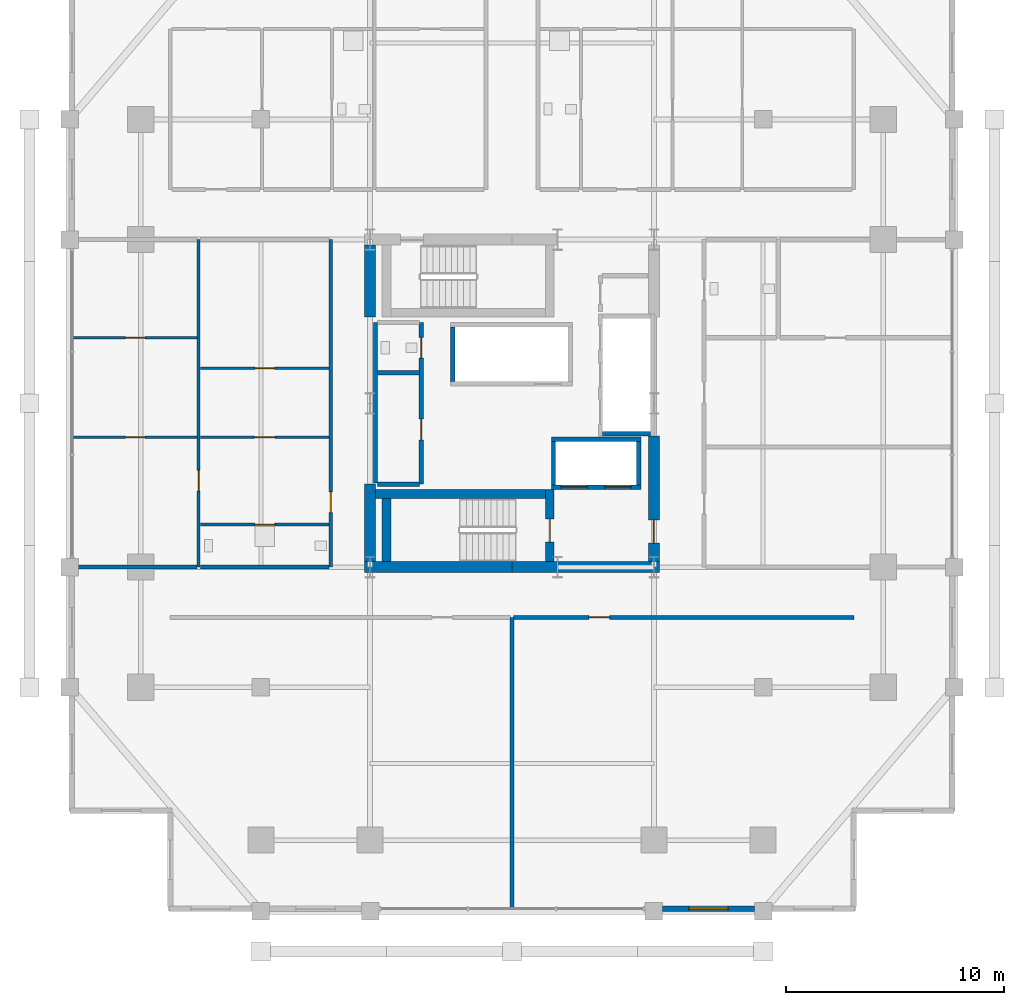
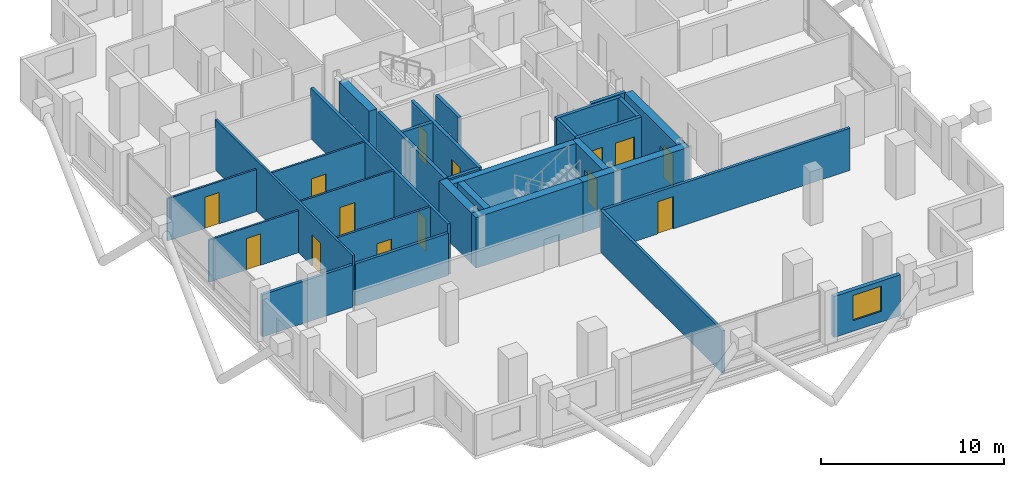
# One storey, part 17 of 22: 30 walls, 14 doors, 1 window, 15 openings.
"""IFC4 building model written with IfcOpenShell, lengths in metres."""

from ifc_helpers import new_model, si_unit, direction, frame, frame_2d, origin, place, context, subcontext, project, spatial, rectangle, extrude, material, layer, layer_set, type_object, element, fill, save


model = new_model("IFC4")

# Units and contexts
model_context = context("Model", 3, precision=1e-05, world=origin(), true_north=direction((0.0, 1.0)))
body_context = subcontext(model_context, "Body", "Model", "MODEL_VIEW")
ifc_project = project(units=[si_unit("LENGTHUNIT", "METRE"), si_unit("AREAUNIT", "SQUARE_METRE"), si_unit("VOLUMEUNIT", "CUBIC_METRE"), si_unit("PLANEANGLEUNIT", "RADIAN"), si_unit("MASSUNIT", "GRAM", prefix="KILO")], contexts=[model_context])

# Site, building, storey
site_placement = place(None, origin())
site = spatial("IfcSite", under=ifc_project, at=site_placement, CompositionType="ELEMENT")
building_placement = place(site_placement, origin())
building = spatial("IfcBuilding", under=site, at=building_placement, Name="Barlavira Tower and Art Museum", CompositionType="ELEMENT")
storey_placement = place(building_placement, frame((0.0, 0.0, 129.60009765625)))
storey = spatial("IfcBuildingStorey", under=building, at=storey_placement, Name="L32", CompositionType="ELEMENT", Elevation=129.60009765625)

# Wall, opening, door
ifc_material_1 = material(Name="Gypsum acoustic stud partition", Category="gypsum")
ifc_layer_1 = layer(ifc_material_1, 0.1201171875, Name="Gypsum acoustic stud partition")
ifc_layer_set_1 = layer_set([ifc_layer_1], Name="Gypsum acoustic stud partition")
wall_type_1 = type_object("IfcWallType", Name="Apartment Internal Acoustic Partition 120", PredefinedType="PARTITIONING", material=ifc_layer_set_1)
wall_1_placement = place(storey_placement, frame((-20.070068359375, -1.550048828125, 0.0), z_axis=(0.0, 0.0, 1.0), x_axis=(1.0, 0.0, 0.0)))
wall_1 = element("IfcWall", 1, at=wall_1_placement, inside=storey, type_object=wall_type_1, Name="L32 Partition Wall 27", PredefinedType="PARTITIONING", context=body_context, shape_type="SweptSolid", body=[
    extrude(rectangle(XDim=5.64013671875, YDim=0.1201171875, at=frame_2d((2.820068359375, 0.0))), origin(), (0.0, 0.0, 1.0), 2.81591796875),
])
opening_1_placement = place(wall_1_placement, frame((2.3701171875, 0.0, 0.0)))
opening_1 = element("IfcOpeningElement", 2, at=opening_1_placement, cuts=wall_1, Name="Opening D-01", PredefinedType="OPENING", context=body_context, shape_type="SweptSolid", body=[
    extrude(rectangle(XDim=0.89990234375, YDim=2.10009765625, at=frame_2d((0.449951171875, 1.050048828125))), frame((0.0, 0.070068359375, 0.0), z_axis=(0.0, -1.0, 0.0), x_axis=(1.0, 0.0, 0.0)), (0.0, 0.0, 1.0), 0.14013671875),
])
ifc_material_2 = material(Name="Engineered coastal hardwood", Category="wood")
door_type_1 = type_object("IfcDoorType", Name="Internal Bedroom Timber Flush Door 900x2100", OperationType="NOTDEFINED", PredefinedType="DOOR", material=ifc_material_2)
door_1_placement = place(opening_1_placement, origin())
door_1 = element("IfcDoor", 3, at=door_1_placement, inside=storey, type_object=door_type_1, Name="Apartment SKY-W1 Bedroom 1 Door", OperationType="SINGLE_SWING_RIGHT", OverallHeight=2.10009765625, OverallWidth=0.89990234375, PredefinedType="DOOR", context=body_context, shape_type="SweptSolid", body=[
    extrude(rectangle(XDim=0.89990234375, YDim=2.10009765625, at=frame_2d((0.449951171875, 1.050048828125))), frame((0.0, 0.02490234375, 0.0), z_axis=(0.0, -1.0, 0.0), x_axis=(1.0, 0.0, 0.0)), (0.0, 0.0, 1.0), 0.050048828125),
])
fill(opening_1, door_1)

wall_2_placement = place(storey_placement, frame((-14.27001953125, -1.550048828125, 0.0), z_axis=(0.0, 0.0, 1.0), x_axis=(1.0, 0.0, 0.0)))
wall_2 = element("IfcWall", 4, at=wall_2_placement, inside=storey, type_object=wall_type_1, Name="L32 Partition Wall 28", PredefinedType="PARTITIONING", context=body_context, shape_type="SweptSolid", body=[
    extrude(rectangle(XDim=5.89013671875, YDim=0.1201171875, at=frame_2d((2.945068359375, 0.0))), origin(), (0.0, 0.0, 1.0), 3.3798828125),
])
opening_2_placement = place(wall_2_placement, frame((2.47509765625, 0.0, 0.0)))
opening_2 = element("IfcOpeningElement", 5, at=opening_2_placement, cuts=wall_2, Name="Opening D-02", PredefinedType="OPENING", context=body_context, shape_type="SweptSolid", body=[
    extrude(rectangle(XDim=0.949951171875, YDim=2.10009765625, at=frame_2d((0.47509765625, 1.050048828125))), frame((0.0, 0.070068359375, 0.0), z_axis=(0.0, -1.0, 0.0), x_axis=(1.0, 0.0, 0.0)), (0.0, 0.0, 1.0), 0.14013671875),
])
door_type_2 = type_object("IfcDoorType", Name="Living and Salon Glazed-Leaf Door 950x2100", OperationType="NOTDEFINED", PredefinedType="DOOR", material=ifc_material_2)
door_2_placement = place(opening_2_placement, origin())
door_2 = element("IfcDoor", 6, at=door_2_placement, inside=storey, type_object=door_type_2, Name="Apartment SKY-W1 Kitchen Door", OperationType="SINGLE_SWING_LEFT", OverallHeight=2.10009765625, OverallWidth=0.949951171875, PredefinedType="DOOR", context=body_context, shape_type="SweptSolid", body=[
    extrude(rectangle(XDim=0.949951171875, YDim=2.10009765625, at=frame_2d((0.47509765625, 1.050048828125))), frame((0.0, 0.02490234375, 0.0), z_axis=(0.0, -1.0, 0.0), x_axis=(1.0, 0.0, 0.0)), (0.0, 0.0, 1.0), 0.050048828125),
])
fill(opening_2, door_2)

wall_3_placement = place(storey_placement, frame((-14.27001953125, 1.60009765625, 0.0), z_axis=(0.0, 0.0, 1.0), x_axis=(1.0, 0.0, 0.0)))
wall_3 = element("IfcWall", 7, at=wall_3_placement, inside=storey, type_object=wall_type_1, Name="L32 Partition Wall 30", PredefinedType="PARTITIONING", context=body_context, shape_type="SweptSolid", body=[
    extrude(rectangle(XDim=5.89013671875, YDim=0.1201171875, at=frame_2d((2.945068359375, 0.0))), origin(), (0.0, 0.0, 1.0), 3.3798828125),
])
opening_3_placement = place(wall_3_placement, frame((2.5, 0.0, 0.0)))
opening_3 = element("IfcOpeningElement", 8, at=opening_3_placement, cuts=wall_3, Name="Opening D-01", PredefinedType="OPENING", context=body_context, shape_type="SweptSolid", body=[
    extrude(rectangle(XDim=0.89990234375, YDim=2.10009765625, at=frame_2d((0.449951171875, 1.050048828125))), frame((0.0, 0.070068359375, 0.0), z_axis=(0.0, -1.0, 0.0), x_axis=(1.0, 0.0, 0.0)), (0.0, 0.0, 1.0), 0.14013671875),
])
door_3_placement = place(opening_3_placement, origin())
door_3 = element("IfcDoor", 9, at=door_3_placement, inside=storey, type_object=door_type_1, Name="Apartment SKY-W1 Walk-In Dressing Room Door", OperationType="SINGLE_SWING_RIGHT", OverallHeight=2.10009765625, OverallWidth=0.89990234375, PredefinedType="DOOR", context=body_context, shape_type="SweptSolid", body=[
    extrude(rectangle(XDim=0.89990234375, YDim=2.10009765625, at=frame_2d((0.449951171875, 1.050048828125))), frame((0.0, 0.02490234375, 0.0), z_axis=(0.0, -1.0, 0.0), x_axis=(1.0, 0.0, 0.0)), (0.0, 0.0, 1.0), 0.050048828125),
])
fill(opening_3, door_3)

wall_4_placement = place(storey_placement, frame((-20.070068359375, 3.0, 0.0), z_axis=(0.0, 0.0, 1.0), x_axis=(1.0, 0.0, 0.0)))
wall_4 = element("IfcWall", 10, at=wall_4_placement, inside=storey, type_object=wall_type_1, Name="L32 Partition Wall 31", PredefinedType="PARTITIONING", context=body_context, shape_type="SweptSolid", body=[
    extrude(rectangle(XDim=5.64013671875, YDim=0.1201171875, at=frame_2d((2.820068359375, 0.0))), origin(), (0.0, 0.0, 1.0), 2.81591796875),
])
opening_4_placement = place(wall_4_placement, frame((2.3701171875, 0.0, 0.0)))
opening_4 = element("IfcOpeningElement", 11, at=opening_4_placement, cuts=wall_4, Name="Opening D-01", PredefinedType="OPENING", context=body_context, shape_type="SweptSolid", body=[
    extrude(rectangle(XDim=0.89990234375, YDim=2.10009765625, at=frame_2d((0.449951171875, 1.050048828125))), frame((0.0, 0.070068359375, 0.0), z_axis=(0.0, -1.0, 0.0), x_axis=(1.0, 0.0, 0.0)), (0.0, 0.0, 1.0), 0.14013671875),
])
door_4_placement = place(opening_4_placement, origin())
door_4 = element("IfcDoor", 12, at=door_4_placement, inside=storey, type_object=door_type_1, Name="Apartment SKY-W1 Bedroom 2 Door", OperationType="SINGLE_SWING_LEFT", OverallHeight=2.10009765625, OverallWidth=0.89990234375, PredefinedType="DOOR", context=body_context, shape_type="SweptSolid", body=[
    extrude(rectangle(XDim=0.89990234375, YDim=2.10009765625, at=frame_2d((0.449951171875, 1.050048828125))), frame((0.0, 0.02490234375, 0.0), z_axis=(0.0, -1.0, 0.0), x_axis=(1.0, 0.0, 0.0)), (0.0, 0.0, 1.0), 0.050048828125),
])
fill(opening_4, door_4)

# Walls
ifc_material_3 = material(Name="Concrete C60", Category="concrete")
ifc_layer_2 = layer(ifc_material_3, 0.5, Name="Concrete C60")
ifc_layer_set_2 = layer_set([ifc_layer_2], Name="Concrete C60")
wall_type_2 = type_object("IfcWallType", Name="Core Structural Shear Wall 500 Concrete C60", PredefinedType="SHEAR", material=ifc_layer_set_2)
for number, where, z_axis, x_axis, name in (
    (13, (-6.75, -7.5, 0.0), (0.0, 0.0, 1.0), (1.0, 0.0, 0.0), "L32 Core Shear Wall CS-SW"),
    (14, (0.0, -7.5, 0.0), (0.0, 0.0, 1.0), (1.0, 0.0, 0.0), "L32 Core Shear Wall CS-SE"),
):
    element("IfcWall", number, at=place(storey_placement, frame(where, z_axis=z_axis, x_axis=x_axis)), inside=storey, type_object=wall_type_2, Name=name, PredefinedType="SHEAR", context=body_context, shape_type="SweptSolid", body=[
        extrude(rectangle(XDim=6.75, YDim=0.5, at=frame_2d((3.375, 0.0))), origin(), (0.0, 0.0, 1.0), 3.3798828125),
    ])
wall_5_placement = place(storey_placement, frame((-6.5, -7.25, 0.0), z_axis=(0.0, 0.0, 1.0), x_axis=(0.0, 1.0, 0.0)))
element("IfcWall", 15, at=wall_5_placement, inside=storey, type_object=wall_type_2, Name="L32 Core Shear Wall CS-W1", PredefinedType="SHEAR", context=body_context, shape_type="SweptSolid", body=[
    extrude(rectangle(XDim=3.550048828125, YDim=0.5, at=frame_2d((1.77490234375, 0.0))), origin(), (0.0, 0.0, 1.0), 3.3798828125),
])
wall_6_placement = place(storey_placement, frame((-6.5, 3.949951171875, 0.0), z_axis=(0.0, 0.0, 1.0), x_axis=(0.0, 1.0, 0.0)))
element("IfcWall", 16, at=wall_6_placement, inside=storey, type_object=wall_type_2, Name="L32 Core Shear Wall CS-W2", PredefinedType="SHEAR", context=body_context, shape_type="SweptSolid", body=[
    extrude(rectangle(XDim=3.300048828125, YDim=0.5, at=frame_2d((1.64990234375, 0.0))), origin(), (0.0, 0.0, 1.0), 3.3798828125),
])

# Wall, opening, door
wall_7_placement = place(storey_placement, frame((6.5, -7.25, 0.0), z_axis=(0.0, 0.0, 1.0), x_axis=(0.0, 1.0, 0.0)))
wall_7 = element("IfcWall", 17, at=wall_7_placement, inside=storey, type_object=wall_type_2, Name="L32 Core Shear Wall CS-E1", PredefinedType="SHEAR", context=body_context, shape_type="SweptSolid", body=[
    extrude(rectangle(XDim=5.75, YDim=0.5, at=frame_2d((2.875, 0.0))), origin(), (0.0, 0.0, 1.0), 3.3798828125),
])
opening_5_placement = place(wall_7_placement, frame((0.85009765625, 0.0, 0.0)))
opening_5 = element("IfcOpeningElement", 18, at=opening_5_placement, cuts=wall_7, Name="Opening FD-90", PredefinedType="OPENING", context=body_context, shape_type="SweptSolid", body=[
    extrude(rectangle(XDim=1.050048828125, YDim=2.14990234375, at=frame_2d((0.52490234375, 1.074951171875))), frame((0.0, 0.260009765625, 0.0), z_axis=(0.0, -1.0, 0.0), x_axis=(1.0, 0.0, 0.0)), (0.0, 0.0, 1.0), 0.52001953125),
])
ifc_material_4 = material(Name="Brushed stainless steel", Category="steel")
door_type_3 = type_object("IfcDoorType", Name="Stair and Refuge Fire Door 1050x2150 FD90S", OperationType="NOTDEFINED", PredefinedType="DOOR", material=ifc_material_4)
door_5_placement = place(opening_5_placement, origin())
door_5 = element("IfcDoor", 19, at=door_5_placement, inside=storey, type_object=door_type_3, Name="L32 Firefighting Lobby Entry Fire Door", OperationType="SINGLE_SWING_LEFT", OverallHeight=2.14990234375, OverallWidth=1.050048828125, PredefinedType="DOOR", context=body_context, shape_type="SweptSolid", body=[
    extrude(rectangle(XDim=1.050048828125, YDim=2.14990234375, at=frame_2d((0.52490234375, 1.074951171875))), frame((0.0, 0.02490234375, 0.0), z_axis=(0.0, -1.0, 0.0), x_axis=(1.0, 0.0, 0.0)), (0.0, 0.0, 1.0), 0.050048828125),
])
fill(opening_5, door_5)

# Walls
ifc_material_5 = material(Name="Autoclaved aerated concrete masonry", Category="masonry")
ifc_layer_3 = layer(ifc_material_5, 0.199951171875, Name="Autoclaved aerated concrete masonry")
ifc_layer_set_3 = layer_set([ifc_layer_3], Name="Autoclaved aerated concrete masonry")
wall_type_3 = type_object("IfcWallType", Name="Fire Compartment and Shaft Wall 200", PredefinedType="SOLIDWALL", material=ifc_layer_set_3)
wall_8_placement = place(storey_placement, frame((4.14990234375, -1.389892578125, 0.0), z_axis=(0.0, 0.0, 1.0), x_axis=(1.0, 0.0, 0.0)))
element("IfcWall", 20, at=wall_8_placement, inside=storey, type_object=wall_type_3, Name="L32 Mid-Rise Lift South Shaft Wall", PredefinedType="SOLIDWALL", context=body_context, shape_type="SweptSolid", body=[
    extrude(rectangle(XDim=2.2001953125, YDim=0.199951171875, at=frame_2d((1.10009765625, 0.0))), origin(), (0.0, 0.0, 1.0), 3.3798828125),
])
wall_9_placement = place(storey_placement, frame((-2.719970703125, 1.0, 0.0), z_axis=(0.0, 0.0, 1.0), x_axis=(0.0, 1.0, 0.0)))
element("IfcWall", 21, at=wall_9_placement, inside=storey, type_object=wall_type_3, Name="L32 High-Rise & Service Lift West Wall", PredefinedType="SOLIDWALL", context=body_context, shape_type="SweptSolid", body=[
    extrude(rectangle(XDim=2.5, YDim=0.199951171875, at=frame_2d((1.25, 0.0))), origin(), (0.0, 0.0, 1.0), 3.3798828125),
])

# Wall, openings, doors
wall_10_placement = place(storey_placement, frame((1.800048828125, -3.85009765625, 0.0), z_axis=(0.0, 0.0, 1.0), x_axis=(1.0, 0.0, 0.0)))
wall_10 = element("IfcWall", 22, at=wall_10_placement, inside=storey, type_object=wall_type_3, Name="L32 Firefighting Lift Front Shaft Wall", PredefinedType="SOLIDWALL", context=body_context, shape_type="SweptSolid", body=[
    extrude(rectangle(XDim=4.099853515625, YDim=0.199951171875, at=frame_2d((2.0498046875, 0.0))), origin(), (0.0, 0.0, 1.0), 3.3798828125),
])
opening_6_placement = place(wall_10_placement, frame((0.449951171875, 0.0, 0.0)))
opening_6 = element("IfcOpeningElement", 23, at=opening_6_placement, cuts=wall_10, Name="Opening LD-F", PredefinedType="OPENING", context=body_context, shape_type="SweptSolid", body=[
    extrude(rectangle(XDim=1.199951171875, YDim=2.199951171875, at=frame_2d((0.60009765625, 1.10009765625))), frame((0.0, 0.10986328125, 0.0), z_axis=(0.0, -1.0, 0.0), x_axis=(1.0, 0.0, 0.0)), (0.0, 0.0, 1.0), 0.219970703125),
])
opening_7_placement = place(wall_10_placement, frame((2.449951171875, 0.0, 0.0)))
opening_7 = element("IfcOpeningElement", 24, at=opening_7_placement, cuts=wall_10, Name="Opening LD-F", PredefinedType="OPENING", context=body_context, shape_type="SweptSolid", body=[
    extrude(rectangle(XDim=1.199951171875, YDim=2.199951171875, at=frame_2d((0.60009765625, 1.10009765625))), frame((0.0, 0.10986328125, 0.0), z_axis=(0.0, -1.0, 0.0), x_axis=(1.0, 0.0, 0.0)), (0.0, 0.0, 1.0), 0.219970703125),
])
door_type_4 = type_object("IfcDoorType", Name="Firefighting and Service Lift Sliding Door 1200x2200 FD120", OperationType="NOTDEFINED", PredefinedType="DOOR", material=ifc_material_4)
door_6_placement = place(opening_6_placement, origin())
door_6 = element("IfcDoor", 25, at=door_6_placement, inside=storey, type_object=door_type_4, Name="L32 Firefighting Lift FF1 Sliding Door", OperationType="DOUBLE_DOOR_SLIDING", OverallHeight=2.199951171875, OverallWidth=1.199951171875, PredefinedType="DOOR", context=body_context, shape_type="SweptSolid", body=[
    extrude(rectangle(XDim=1.199951171875, YDim=2.199951171875, at=frame_2d((0.60009765625, 1.10009765625))), frame((0.0, 0.02490234375, 0.0), z_axis=(0.0, -1.0, 0.0), x_axis=(1.0, 0.0, 0.0)), (0.0, 0.0, 1.0), 0.050048828125),
])
fill(opening_6, door_6)
door_7_placement = place(opening_7_placement, origin())
door_7 = element("IfcDoor", 26, at=door_7_placement, inside=storey, type_object=door_type_4, Name="L32 Firefighting Lift FF2 Sliding Door", OperationType="DOUBLE_DOOR_SLIDING", OverallHeight=2.199951171875, OverallWidth=1.199951171875, PredefinedType="DOOR", context=body_context, shape_type="SweptSolid", body=[
    extrude(rectangle(XDim=1.199951171875, YDim=2.199951171875, at=frame_2d((0.60009765625, 1.10009765625))), frame((0.0, 0.02490234375, 0.0), z_axis=(0.0, -1.0, 0.0), x_axis=(1.0, 0.0, 0.0)), (0.0, 0.0, 1.0), 0.050048828125),
])
fill(opening_7, door_7)

# Walls
wall_11_placement = place(storey_placement, frame((1.800048828125, -1.64990234375, 0.0), z_axis=(0.0, 0.0, 1.0), x_axis=(1.0, 0.0, 0.0)))
element("IfcWall", 27, at=wall_11_placement, inside=storey, type_object=wall_type_3, Name="L32 Firefighting Lift Back Shaft Wall", PredefinedType="SOLIDWALL", context=body_context, shape_type="SweptSolid", body=[
    extrude(rectangle(XDim=4.099853515625, YDim=0.199951171875, at=frame_2d((2.0498046875, 0.0))), origin(), (0.0, 0.0, 1.0), 3.3798828125),
])
for number, where, z_axis, x_axis, name in (
    (28, (1.89990234375, -3.75, 0.0), (0.0, 0.0, 1.0), (0.0, 1.0, 0.0), "L32 Firefighting Lift West Shaft Wall"),
    (29, (5.800048828125, -3.75, 0.0), (0.0, 0.0, 1.0), (0.0, 1.0, 0.0), "L32 Firefighting Lift East Shaft Wall"),
):
    element("IfcWall", number, at=place(storey_placement, frame(where, z_axis=z_axis, x_axis=x_axis)), inside=storey, type_object=wall_type_3, Name=name, PredefinedType="SOLIDWALL", context=body_context, shape_type="SweptSolid", body=[
        extrude(rectangle(XDim=2.0, YDim=0.199951171875, at=frame_2d((1.0, 0.0))), origin(), (0.0, 0.0, 1.0), 3.3798828125),
    ])
wall_12_placement = place(storey_placement, frame((-6.25, -3.639892578125, 0.0), z_axis=(0.0, 0.0, 1.0), x_axis=(0.0, 1.0, 0.0)))
element("IfcWall", 30, at=wall_12_placement, inside=storey, type_object=wall_type_3, Name="L32 Partition Wall 7", PredefinedType="SOLIDWALL", context=body_context, shape_type="SweptSolid", body=[
    extrude(rectangle(XDim=7.33984375, YDim=0.199951171875, at=frame_2d((3.669921875, 0.0))), origin(), (0.0, 0.0, 1.0), 3.3798828125),
])

# Wall, openings, doors
wall_13_placement = place(storey_placement, frame((-4.14990234375, -3.699951171875, 0.0), z_axis=(0.0, 0.0, 1.0), x_axis=(0.0, 1.0, 0.0)))
wall_13 = element("IfcWall", 31, at=wall_13_placement, inside=storey, type_object=wall_type_3, Name="L32 Partition Wall 8", PredefinedType="SOLIDWALL", context=body_context, shape_type="SweptSolid", body=[
    extrude(rectangle(XDim=7.39990234375, YDim=0.199951171875, at=frame_2d((3.699951171875, 0.0))), origin(), (0.0, 0.0, 1.0), 3.3798828125),
])
opening_8_placement = place(wall_13_placement, frame((2.02490234375, 0.0, 0.0)))
opening_8 = element("IfcOpeningElement", 32, at=opening_8_placement, cuts=wall_13, Name="Opening FD-60", PredefinedType="OPENING", context=body_context, shape_type="SweptSolid", body=[
    extrude(rectangle(XDim=0.949951171875, YDim=2.14990234375, at=frame_2d((0.47509765625, 1.074951171875))), frame((0.0, 0.10986328125, 0.0), z_axis=(0.0, -1.0, 0.0), x_axis=(1.0, 0.0, 0.0)), (0.0, 0.0, 1.0), 0.219970703125),
])
opening_9_placement = place(wall_13_placement, frame((5.77490234375, 0.0, 0.0)))
opening_9 = element("IfcOpeningElement", 33, at=opening_9_placement, cuts=wall_13, Name="Opening FD-60", PredefinedType="OPENING", context=body_context, shape_type="SweptSolid", body=[
    extrude(rectangle(XDim=0.949951171875, YDim=2.14990234375, at=frame_2d((0.47509765625, 1.074951171875))), frame((0.0, 0.10986328125, 0.0), z_axis=(0.0, -1.0, 0.0), x_axis=(1.0, 0.0, 0.0)), (0.0, 0.0, 1.0), 0.219970703125),
])
door_type_5 = type_object("IfcDoorType", Name="Apartment Entrance and Riser Fire Door 950x2150 FD60S", OperationType="NOTDEFINED", PredefinedType="DOOR", material=ifc_material_4)
door_8_placement = place(opening_8_placement, origin())
door_8 = element("IfcDoor", 34, at=door_8_placement, inside=storey, type_object=door_type_5, Name="Reclaimed Core Resident Parcel Room Door", OperationType="SINGLE_SWING_LEFT", OverallHeight=2.14990234375, OverallWidth=0.949951171875, PredefinedType="DOOR", context=body_context, shape_type="SweptSolid", body=[
    extrude(rectangle(XDim=0.949951171875, YDim=2.14990234375, at=frame_2d((0.47509765625, 1.074951171875))), frame((0.0, 0.02490234375, 0.0), z_axis=(0.0, -1.0, 0.0), x_axis=(1.0, 0.0, 0.0)), (0.0, 0.0, 1.0), 0.050048828125),
])
fill(opening_8, door_8)
door_9_placement = place(opening_9_placement, origin())
door_9 = element("IfcDoor", 35, at=door_9_placement, inside=storey, type_object=door_type_5, Name="Reclaimed Core Accessible WC Door", OperationType="SINGLE_SWING_RIGHT", OverallHeight=2.14990234375, OverallWidth=0.949951171875, PredefinedType="DOOR", context=body_context, shape_type="SweptSolid", body=[
    extrude(rectangle(XDim=0.949951171875, YDim=2.14990234375, at=frame_2d((0.47509765625, 1.074951171875))), frame((0.0, 0.02490234375, 0.0), z_axis=(0.0, -1.0, 0.0), x_axis=(1.0, 0.0, 0.0)), (0.0, 0.0, 1.0), 0.050048828125),
])
fill(opening_9, door_9)

# Walls
for number, where, z_axis, x_axis, name in (
    (36, (-6.169921875, -3.699951171875, 0.0), (0.0, 0.0, 1.0), (1.0, 0.0, 0.0), "L32 Partition Wall 25"),
    (37, (-6.169921875, 1.39990234375, 0.0), (0.0, 0.0, 1.0), (1.0, 0.0, 0.0), "L32 Partition Wall 29"),
):
    element("IfcWall", number, at=place(storey_placement, frame(where, z_axis=z_axis, x_axis=x_axis)), inside=storey, type_object=wall_type_3, Name=name, PredefinedType="SOLIDWALL", context=body_context, shape_type="SweptSolid", body=[
        extrude(rectangle(XDim=1.93994140625, YDim=0.199951171875, at=frame_2d((0.969970703125, 0.0))), origin(), (0.0, 0.0, 1.0), 3.3798828125),
    ])

# Wall, opening, door
ifc_layer_4 = layer(ifc_material_1, 0.179931640625, Name="Gypsum acoustic stud partition")
ifc_layer_set_4 = layer_set([ifc_layer_4], Name="Gypsum acoustic stud partition")
wall_type_4 = type_object("IfcWallType", Name="Inter-Tenancy Party Partition Wall 180", PredefinedType="PARTITIONING", material=ifc_layer_set_4)
wall_14_placement = place(storey_placement, frame((-8.300048828125, -7.5, 0.0), z_axis=(0.0, 0.0, 1.0), x_axis=(0.0, 1.0, 0.0)))
wall_14 = element("IfcWall", 38, at=wall_14_placement, inside=storey, type_object=wall_type_4, Name="L32 Partition Wall 4", PredefinedType="PARTITIONING", context=body_context, shape_type="SweptSolid", body=[
    extrude(rectangle(XDim=15.0, YDim=0.179931640625, at=frame_2d((7.5, 0.0))), origin(), (0.0, 0.0, 1.0), 3.3798828125),
])
opening_10_placement = place(wall_14_placement, frame((2.4951171875, 0.0, 0.0)))
opening_10 = element("IfcOpeningElement", 39, at=opening_10_placement, cuts=wall_14, Name="Opening FD-60", PredefinedType="OPENING", context=body_context, shape_type="SweptSolid", body=[
    extrude(rectangle(XDim=0.949951171875, YDim=2.14990234375, at=frame_2d((0.47509765625, 1.074951171875))), frame((0.0, 0.10009765625, 0.0), z_axis=(0.0, -1.0, 0.0), x_axis=(1.0, 0.0, 0.0)), (0.0, 0.0, 1.0), 0.199951171875),
])
door_10_placement = place(opening_10_placement, origin())
door_10 = element("IfcDoor", 40, at=door_10_placement, inside=storey, type_object=door_type_5, Name="Apartment Entrance Hall SKY-W1 Door", OperationType="SINGLE_SWING_RIGHT", OverallHeight=2.14990234375, OverallWidth=0.949951171875, PredefinedType="DOOR", context=body_context, shape_type="SweptSolid", body=[
    extrude(rectangle(XDim=0.949951171875, YDim=2.14990234375, at=frame_2d((0.47509765625, 1.074951171875))), frame((0.0, 0.02490234375, 0.0), z_axis=(0.0, -1.0, 0.0), x_axis=(1.0, 0.0, 0.0)), (0.0, 0.0, 1.0), 0.050048828125),
])
fill(opening_10, door_10)

# Wall
wall_15_placement = place(storey_placement, frame((0.0, -23.14990234375, 0.0), z_axis=(0.0, 0.0, 1.0), x_axis=(0.0, 1.0, 0.0)))
element("IfcWall", 41, at=wall_15_placement, inside=storey, type_object=wall_type_4, Name="L32 Partition Wall 10", PredefinedType="PARTITIONING", context=body_context, shape_type="SweptSolid", body=[
    extrude(rectangle(XDim=13.349853515625, YDim=0.179931640625, at=frame_2d((6.6748046875, 0.0))), origin(), (0.0, 0.0, 1.0), 2.81591796875),
])

# Wall, opening, door
wall_16_placement = place(storey_placement, frame((0.080078125, -9.800048828125, 0.0), z_axis=(0.0, 0.0, 1.0), x_axis=(1.0, 0.0, 0.0)))
wall_16 = element("IfcWall", 42, at=wall_16_placement, inside=storey, type_object=wall_type_4, Name="L32 Partition Wall 20", PredefinedType="PARTITIONING", context=body_context, shape_type="SweptSolid", body=[
    extrude(rectangle(XDim=15.56982421875, YDim=0.179931640625, at=frame_2d((7.784912109375, 0.0))), origin(), (0.0, 0.0, 1.0), 2.81591796875),
])
opening_11_placement = place(wall_16_placement, frame((3.445068359375, 0.0, 0.0)))
opening_11 = element("IfcOpeningElement", 43, at=opening_11_placement, cuts=wall_16, Name="Opening FD-60", PredefinedType="OPENING", context=body_context, shape_type="SweptSolid", body=[
    extrude(rectangle(XDim=0.949951171875, YDim=2.14990234375, at=frame_2d((0.47509765625, 1.074951171875))), frame((0.0, 0.10009765625, 0.0), z_axis=(0.0, -1.0, 0.0), x_axis=(1.0, 0.0, 0.0)), (0.0, 0.0, 1.0), 0.199951171875),
])
door_11_placement = place(opening_11_placement, origin())
door_11 = element("IfcDoor", 44, at=door_11_placement, inside=storey, type_object=door_type_5, Name="Atlantic Horizon Sky Cafe and Bar Door", OperationType="SINGLE_SWING_LEFT", OverallHeight=2.14990234375, OverallWidth=0.949951171875, PredefinedType="DOOR", context=body_context, shape_type="SweptSolid", body=[
    extrude(rectangle(XDim=0.949951171875, YDim=2.14990234375, at=frame_2d((0.47509765625, 1.074951171875))), frame((0.0, 0.02490234375, 0.0), z_axis=(0.0, -1.0, 0.0), x_axis=(1.0, 0.0, 0.0)), (0.0, 0.0, 1.0), 0.050048828125),
])
fill(opening_11, door_11)

# Walls
wall_17_placement = place(storey_placement, frame((-20.14990234375, -7.5, 0.0), z_axis=(0.0, 0.0, 1.0), x_axis=(1.0, 0.0, 0.0)))
element("IfcWall", 45, at=wall_17_placement, inside=storey, type_object=wall_type_4, Name="L32 Partition Wall 21", PredefinedType="PARTITIONING", context=body_context, shape_type="SweptSolid", body=[
    extrude(rectangle(XDim=5.719970703125, YDim=0.179931640625, at=frame_2d((2.85986328125, 0.0))), origin(), (0.0, 0.0, 1.0), 2.81591796875),
])
wall_18_placement = place(storey_placement, frame((-14.27001953125, -7.5, 0.0), z_axis=(0.0, 0.0, 1.0), x_axis=(1.0, 0.0, 0.0)))
element("IfcWall", 46, at=wall_18_placement, inside=storey, type_object=wall_type_4, Name="L32 Partition Wall 22", PredefinedType="PARTITIONING", context=body_context, shape_type="SweptSolid", body=[
    extrude(rectangle(XDim=5.89013671875, YDim=0.179931640625, at=frame_2d((2.945068359375, 0.0))), origin(), (0.0, 0.0, 1.0), 2.81591796875),
])

# Wall, opening, door
ifc_layer_5 = layer(ifc_material_1, 0.139892578125, Name="Gypsum acoustic stud partition")
ifc_layer_set_5 = layer_set([ifc_layer_5], Name="Gypsum acoustic stud partition")
wall_type_5 = type_object("IfcWallType", Name="Moisture-Resistant Bathroom Partition 140", PredefinedType="PARTITIONING", material=ifc_layer_set_5)
wall_19_placement = place(storey_placement, frame((-14.35009765625, -7.5, 0.0), z_axis=(0.0, 0.0, 1.0), x_axis=(0.0, 1.0, 0.0)))
wall_19 = element("IfcWall", 47, at=wall_19_placement, inside=storey, type_object=wall_type_5, Name="L32 Partition Wall 2", PredefinedType="PARTITIONING", context=body_context, shape_type="SweptSolid", body=[
    extrude(rectangle(XDim=15.0, YDim=0.139892578125, at=frame_2d((7.5, 0.0))), origin(), (0.0, 0.0, 1.0), 3.3798828125),
])
opening_12_placement = place(wall_19_placement, frame((3.47509765625, 0.0, 0.0)))
opening_12 = element("IfcOpeningElement", 48, at=opening_12_placement, cuts=wall_19, Name="Opening D-02", PredefinedType="OPENING", context=body_context, shape_type="SweptSolid", body=[
    extrude(rectangle(XDim=0.949951171875, YDim=2.10009765625, at=frame_2d((0.47509765625, 1.050048828125))), frame((0.0, 0.080078125, 0.0), z_axis=(0.0, -1.0, 0.0), x_axis=(1.0, 0.0, 0.0)), (0.0, 0.0, 1.0), 0.159912109375),
])
door_12_placement = place(opening_12_placement, origin())
door_12 = element("IfcDoor", 49, at=door_12_placement, inside=storey, type_object=door_type_2, Name="Apartment SKY-W1 Living Lounge Door", OperationType="SINGLE_SWING_LEFT", OverallHeight=2.10009765625, OverallWidth=0.949951171875, PredefinedType="DOOR", context=body_context, shape_type="SweptSolid", body=[
    extrude(rectangle(XDim=0.949951171875, YDim=2.10009765625, at=frame_2d((0.47509765625, 1.050048828125))), frame((0.0, 0.02490234375, 0.0), z_axis=(0.0, -1.0, 0.0), x_axis=(1.0, 0.0, 0.0)), (0.0, 0.0, 1.0), 0.050048828125),
])
fill(opening_12, door_12)

wall_20_placement = place(storey_placement, frame((-14.27001953125, -5.550048828125, 0.0), z_axis=(0.0, 0.0, 1.0), x_axis=(1.0, 0.0, 0.0)))
wall_20 = element("IfcWall", 50, at=wall_20_placement, inside=storey, type_object=wall_type_5, Name="L32 Partition Wall 24", PredefinedType="PARTITIONING", context=body_context, shape_type="SweptSolid", body=[
    extrude(rectangle(XDim=5.89013671875, YDim=0.139892578125, at=frame_2d((2.945068359375, 0.0))), origin(), (0.0, 0.0, 1.0), 3.3798828125),
])
opening_13_placement = place(wall_20_placement, frame((2.5, 0.0, 0.0)))
opening_13 = element("IfcOpeningElement", 51, at=opening_13_placement, cuts=wall_20, Name="Opening D-WC", PredefinedType="OPENING", context=body_context, shape_type="SweptSolid", body=[
    extrude(rectangle(XDim=0.89990234375, YDim=2.10009765625, at=frame_2d((0.449951171875, 1.050048828125))), frame((0.0, 0.080078125, 0.0), z_axis=(0.0, -1.0, 0.0), x_axis=(1.0, 0.0, 0.0)), (0.0, 0.0, 1.0), 0.159912109375),
])
door_type_6 = type_object("IfcDoorType", Name="Accessible Bathroom Flush Door 900x2100", OperationType="NOTDEFINED", PredefinedType="DOOR", material=ifc_material_2)
door_13_placement = place(opening_13_placement, origin())
door_13 = element("IfcDoor", 52, at=door_13_placement, inside=storey, type_object=door_type_6, Name="Apartment SKY-W1 Hall Bathroom Door", OperationType="SINGLE_SWING_LEFT", OverallHeight=2.10009765625, OverallWidth=0.89990234375, PredefinedType="DOOR", context=body_context, shape_type="SweptSolid", body=[
    extrude(rectangle(XDim=0.89990234375, YDim=2.10009765625, at=frame_2d((0.449951171875, 1.050048828125))), frame((0.0, 0.02490234375, 0.0), z_axis=(0.0, -1.0, 0.0), x_axis=(1.0, 0.0, 0.0)), (0.0, 0.0, 1.0), 0.050048828125),
])
fill(opening_13, door_13)

# Wall, opening, window
ifc_material_6 = material(Name="Precast concrete C40", Category="concrete")
ifc_layer_6 = layer(ifc_material_6, 0.25, Name="Precast concrete C40")
ifc_layer_set_6 = layer_set([ifc_layer_6], Name="Precast concrete C40")
wall_type_6 = type_object("IfcWallType", Name="Notched Corner Spandrel Wall 250 Precast Concrete C40", PredefinedType="SOLIDWALL", material=ifc_layer_set_6)
wall_21_placement = place(storey_placement, frame((6.89501953125, -23.14990234375, 0.0), z_axis=(0.0, 0.0, 1.0), x_axis=(1.0, 0.0, 0.0)))
wall_21 = element("IfcWall", 53, at=wall_21_placement, inside=storey, type_object=wall_type_6, Name="L32 Coastal Facade Pier Wall CW2-L32-S-4", PredefinedType="SOLIDWALL", context=body_context, shape_type="SweptSolid", body=[
    extrude(rectangle(XDim=4.2099609375, YDim=0.25, at=frame_2d((2.10498046875, 0.0))), origin(), (0.0, 0.0, 1.0), 2.73583984375),
])
opening_14_placement = place(wall_21_placement, frame((1.205078125, 0.0, 0.719970703125)))
opening_14 = element("IfcOpeningElement", 54, at=opening_14_placement, cuts=wall_21, Name="Opening WN-01", PredefinedType="OPENING", context=body_context, shape_type="SweptSolid", body=[
    extrude(rectangle(XDim=1.800048828125, YDim=1.679931640625, at=frame_2d((0.89990234375, 0.83984375))), frame((0.0, 0.135009765625, 0.0), z_axis=(0.0, -1.0, 0.0), x_axis=(1.0, 0.0, 0.0)), (0.0, 0.0, 1.0), 0.27001953125),
])
ifc_material_7 = material(Name="Low-iron coastal laminated glass", Category="glass")
window_type = type_object("IfcWindowType", Name="Recessed Notch Corner Punch Window 1800x1680", PartitioningType="SINGLE_PANEL", PredefinedType="WINDOW", material=ifc_material_7)
window_placement = place(opening_14_placement, origin())
window = element("IfcWindow", 55, at=window_placement, inside=storey, type_object=window_type, Name="L32 Punched Facade Window EWP-CW2-L32-S-4-1", OverallHeight=1.679931640625, OverallWidth=1.800048828125, PartitioningType="SINGLE_PANEL", PredefinedType="WINDOW", context=body_context, shape_type="SweptSolid", body=[
    extrude(rectangle(XDim=1.800048828125, YDim=1.679931640625, at=frame_2d((0.89990234375, 0.83984375))), frame((0.0, 0.030029296875, 0.0), z_axis=(0.0, -1.0, 0.0), x_axis=(1.0, 0.0, 0.0)), (0.0, 0.0, 1.0), 0.06005859375),
])
fill(opening_14, window)

# Walls
ifc_material_8 = material(Name="Concrete C55", Category="concrete")
ifc_layer_7 = layer(ifc_material_8, 0.39990234375, Name="Concrete C55")
ifc_layer_set_7 = layer_set([ifc_layer_7], Name="Concrete C55")
wall_type_7 = type_object("IfcWallType", Name="Upper Core Shear Wall 400 Concrete C55", PredefinedType="SHEAR", material=ifc_layer_set_7)
wall_22_placement = place(storey_placement, frame((-5.75, -7.25, 0.0), z_axis=(0.0, 0.0, 1.0), x_axis=(0.0, 1.0, 0.0)))
element("IfcWall", 56, at=wall_22_placement, inside=storey, type_object=wall_type_7, Name="L32 ST-T1 West Half-Landing Wall", PredefinedType="SHEAR", context=body_context, shape_type="SweptSolid", body=[
    extrude(rectangle(XDim=2.89990234375, YDim=0.39990234375, at=frame_2d((1.449951171875, 0.0))), origin(), (0.0, 0.0, 1.0), 3.3798828125),
])
wall_23_placement = place(storey_placement, frame((-6.25, -4.14990234375, 0.0), z_axis=(0.0, 0.0, 1.0), x_axis=(1.0, 0.0, 0.0)))
element("IfcWall", 57, at=wall_23_placement, inside=storey, type_object=wall_type_7, Name="L32 ST-T1 North Shaft Wall", PredefinedType="SHEAR", context=body_context, shape_type="SweptSolid", body=[
    extrude(rectangle(XDim=7.780029296875, YDim=0.39990234375, at=frame_2d((3.89013671875, 0.0))), origin(), (0.0, 0.0, 1.0), 3.3798828125),
])

# Wall, opening, door
wall_24_placement = place(storey_placement, frame((1.72998046875, -7.25, 0.0), z_axis=(0.0, 0.0, 1.0), x_axis=(0.0, 1.0, 0.0)))
wall_24 = element("IfcWall", 58, at=wall_24_placement, inside=storey, type_object=wall_type_7, Name="L32 ST-T1 East Landing Wall", PredefinedType="SHEAR", context=body_context, shape_type="SweptSolid", body=[
    extrude(rectangle(XDim=3.300048828125, YDim=0.39990234375, at=frame_2d((1.64990234375, 0.0))), origin(), (0.0, 0.0, 1.0), 3.3798828125),
])
opening_15_placement = place(wall_24_placement, frame((0.89990234375, 0.0, 0.0)))
opening_15 = element("IfcOpeningElement", 59, at=opening_15_placement, cuts=wall_24, Name="Opening FD-90", PredefinedType="OPENING", context=body_context, shape_type="SweptSolid", body=[
    extrude(rectangle(XDim=1.050048828125, YDim=2.14990234375, at=frame_2d((0.52490234375, 1.074951171875))), frame((0.0, 0.2099609375, 0.0), z_axis=(0.0, -1.0, 0.0), x_axis=(1.0, 0.0, 0.0)), (0.0, 0.0, 1.0), 0.419921875),
])
door_14_placement = place(opening_15_placement, origin())
door_14 = element("IfcDoor", 60, at=door_14_placement, inside=storey, type_object=door_type_3, Name="L32 Stair ST-T1 Fire Door", OperationType="SINGLE_SWING_RIGHT", OverallHeight=2.14990234375, OverallWidth=1.050048828125, PredefinedType="DOOR", context=body_context, shape_type="SweptSolid", body=[
    extrude(rectangle(XDim=1.050048828125, YDim=2.14990234375, at=frame_2d((0.52490234375, 1.074951171875))), frame((0.0, 0.02490234375, 0.0), z_axis=(0.0, -1.0, 0.0), x_axis=(1.0, 0.0, 0.0)), (0.0, 0.0, 1.0), 0.050048828125),
])
fill(opening_15, door_14)

save(model, "model.ifc")
